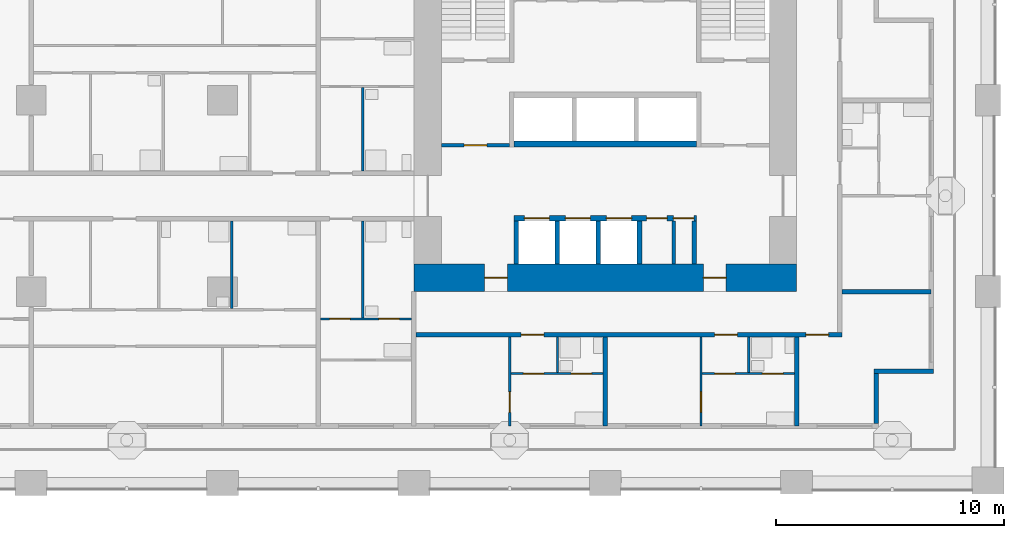
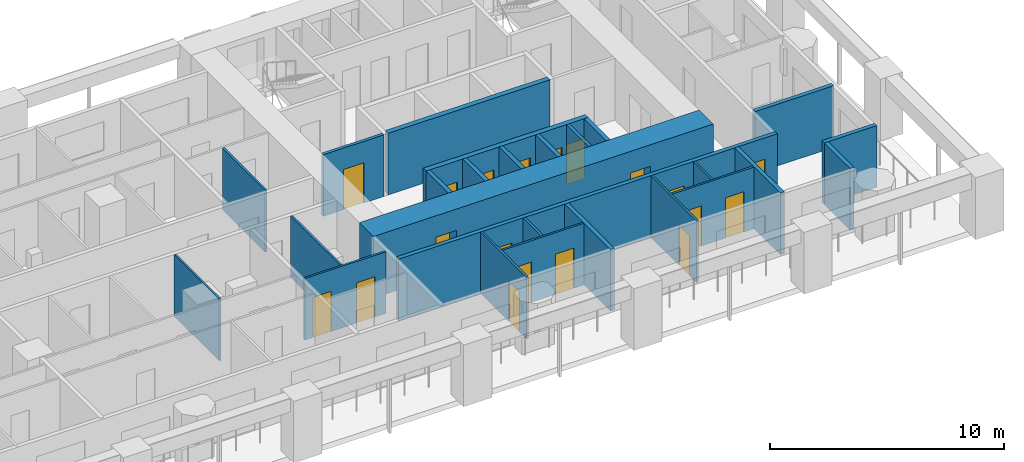
# One storey, part 6 of 22: 26 walls, 19 doors, 19 openings.
"""IFC4 building model written with IfcOpenShell, lengths in metres."""

from ifc_helpers import new_model, si_unit, direction, frame, frame_2d, origin, place, context, subcontext, project, spatial, rectangle, extrude, material, layer, layer_set, type_object, element, fill, save


model = new_model("IFC4")

# Units and contexts
model_context = context("Model", 3, precision=1e-05, world=origin(), true_north=direction((0.0, 1.0)))
body_context = subcontext(model_context, "Body", "Model", "MODEL_VIEW")
ifc_project = project(units=[si_unit("LENGTHUNIT", "METRE"), si_unit("AREAUNIT", "SQUARE_METRE"), si_unit("VOLUMEUNIT", "CUBIC_METRE"), si_unit("PLANEANGLEUNIT", "RADIAN"), si_unit("MASSUNIT", "GRAM", prefix="KILO")], contexts=[model_context])

# Site, building, storey
site_placement = place(None, origin())
site = spatial("IfcSite", under=ifc_project, at=site_placement, CompositionType="ELEMENT")
building_placement = place(site_placement, origin())
building = spatial("IfcBuilding", under=site, at=building_placement, Name="Vermilion Gate Residences", CompositionType="ELEMENT")
storey_placement = place(building_placement, frame((0.0, 0.0, 56.699951171875)))
storey = spatial("IfcBuildingStorey", under=building, at=storey_placement, Name="L13", CompositionType="ELEMENT", Elevation=56.699951171875)

# Wall
ifc_material_1 = material(Name="Masonry blockwork", Category="masonry")
ifc_layer_1 = layer(ifc_material_1, 0.14990234375)
ifc_layer_set_1 = layer_set([ifc_layer_1], Name="BLOCKWORK PARTITION 150 EI 120")
wall_type_1 = type_object("IfcWallType", Name="BLOCKWORK PARTITION 150 EI 120", PredefinedType="PARTITIONING", material=ifc_layer_set_1)
wall_1_placement = place(storey_placement, frame((53.407470703125, 9.60009765625, 0.0), z_axis=(0.0, 0.0, 1.0), x_axis=(0.0, 1.0, 0.0)))
element("IfcWall", 1, at=wall_1_placement, inside=storey, type_object=wall_type_1, Name="Core room partition A13-SR-P0", PredefinedType="PARTITIONING", context=body_context, shape_type="SweptSolid", body=[
    extrude(rectangle(XDim=1.89990234375, YDim=0.14990234375, at=frame_2d((0.949951171875, 0.0))), origin(), (0.0, 0.0, 1.0), 3.219970703125),
])

# Wall, opening, door
wall_2_placement = place(storey_placement, frame((43.199951171875, 14.824951171875, 0.0), z_axis=(0.0, 0.0, 1.0), x_axis=(1.0, 0.0, 0.0)))
wall_2 = element("IfcWall", 2, at=wall_2_placement, inside=storey, type_object=wall_type_1, Name="Core room partition A13-VW-S", PredefinedType="PARTITIONING", context=body_context, shape_type="SweptSolid", body=[
    extrude(rectangle(XDim=3.0, YDim=0.14990234375, at=frame_2d((1.5, 0.0))), origin(), (0.0, 0.0, 1.0), 3.219970703125),
])
opening_1_placement = place(wall_2_placement, frame((1.0, 0.0, 0.0)))
opening_1 = element("IfcOpeningElement", 3, at=opening_1_placement, cuts=wall_2, Name="Opening DK13015", PredefinedType="OPENING", context=body_context, shape_type="SweptSolid", body=[
    extrude(rectangle(XDim=1.0, YDim=2.10009765625, at=frame_2d((0.5, 1.050048828125))), frame((0.0, 0.0849609375, 0.0), z_axis=(0.0, -1.0, 0.0), x_axis=(1.0, 0.0, 0.0)), (0.0, 0.0, 1.0), 0.169921875),
])
ifc_material_2 = material(Name="Steel", Category="steel")
door_type_1 = type_object("IfcDoorType", Name="FIRE DOOR FD60 1000 X 2100", OperationType="SINGLE_SWING_LEFT", PredefinedType="DOOR", material=ifc_material_2)
door_1_placement = place(opening_1_placement, frame((1.0, 0.0, 0.0), z_axis=(0.0, 0.0, 1.0), x_axis=(-1.0, 0.0, 0.0)))
door_1 = element("IfcDoor", 4, at=door_1_placement, inside=storey, type_object=door_type_1, Name="Stair vestibule door A13", OperationType="SINGLE_SWING_RIGHT", OverallHeight=2.10009765625, OverallWidth=1.0, PredefinedType="DOOR", context=body_context, shape_type="SweptSolid", body=[
    extrude(rectangle(XDim=1.0, YDim=2.10009765625, at=frame_2d((0.5, 1.050048828125))), frame((0.0, 0.02490234375, 0.0), z_axis=(0.0, -1.0, 0.0), x_axis=(1.0, 0.0, 0.0)), (0.0, 0.0, 1.0), 0.050048828125),
])
fill(opening_1, door_1)

# Walls
ifc_material_3 = material(Name="Insulated steel stud wall with terracotta rainscreen", Category="masonry")
ifc_layer_2 = layer(ifc_material_3, 0.199951171875)
ifc_layer_set_2 = layer_set([ifc_layer_2], Name="EXTERNAL WALL 200 TERRACOTTA RAINSCREEN")
wall_type_2 = type_object("IfcWallType", Name="EXTERNAL WALL 200 TERRACOTTA RAINSCREEN", PredefinedType="SOLIDWALL", material=ifc_layer_set_2)
wall_3_placement = place(storey_placement, frame((62.300048828125, 2.60009765625, 0.0), z_axis=(0.0, 0.0, 1.0), x_axis=(0.0, 1.0, 0.0)))
element("IfcWall", 5, at=wall_3_placement, inside=storey, type_object=wall_type_2, Name="External wall", PredefinedType="SOLIDWALL", context=body_context, shape_type="SweptSolid", body=[
    extrude(rectangle(XDim=2.199951171875, YDim=0.199951171875, at=frame_2d((1.10009765625, 0.0))), origin(), (0.0, 0.0, 1.0), 3.219970703125),
])
wall_4_placement = place(storey_placement, frame((62.199951171875, 4.89990234375, 0.0), z_axis=(0.0, 0.0, 1.0), x_axis=(1.0, 0.0, 0.0)))
element("IfcWall", 6, at=wall_4_placement, inside=storey, type_object=wall_type_2, Name="External wall", PredefinedType="SOLIDWALL", context=body_context, shape_type="SweptSolid", body=[
    extrude(rectangle(XDim=2.60009765625, YDim=0.199951171875, at=frame_2d((1.300048828125, 0.0))), origin(), (0.0, 0.0, 1.0), 3.219970703125),
])

# Wall, openings, doors
ifc_material_4 = material(Name="Plasterboard on steel studs", Category="steel")
ifc_layer_3 = layer(ifc_material_4, 0.10009765625)
ifc_layer_set_3 = layer_set([ifc_layer_3], Name="PARTITION 100")
wall_type_3 = type_object("IfcWallType", Name="PARTITION 100", PredefinedType="PARTITIONING", material=ifc_layer_set_3)
wall_5_placement = place(storey_placement, frame((46.25, 4.800048828125, 0.0), z_axis=(0.0, 0.0, 1.0), x_axis=(1.0, 0.0, 0.0)))
wall_5 = element("IfcWall", 7, at=wall_5_placement, inside=storey, type_object=wall_type_3, Name="Partition", PredefinedType="PARTITIONING", context=body_context, shape_type="SweptSolid", body=[
    extrude(rectangle(XDim=4.050048828125, YDim=0.10009765625, at=frame_2d((2.02490234375, 0.0))), origin(), (0.0, 0.0, 1.0), 3.219970703125),
])
opening_2_placement = place(wall_5_placement, frame((0.550048828125, 0.0, 0.0)))
opening_2 = element("IfcOpeningElement", 8, at=opening_2_placement, cuts=wall_5, Name="Opening DA13001", PredefinedType="OPENING", context=body_context, shape_type="SweptSolid", body=[
    extrude(rectangle(XDim=0.89990234375, YDim=2.10009765625, at=frame_2d((0.449951171875, 1.050048828125))), frame((0.0, 0.06005859375, 0.0), z_axis=(0.0, -1.0, 0.0), x_axis=(1.0, 0.0, 0.0)), (0.0, 0.0, 1.0), 0.1201171875),
])
opening_3_placement = place(wall_5_placement, frame((2.64990234375, 0.0, 0.0)))
opening_3 = element("IfcOpeningElement", 9, at=opening_3_placement, cuts=wall_5, Name="Opening DA13002", PredefinedType="OPENING", context=body_context, shape_type="SweptSolid", body=[
    extrude(rectangle(XDim=0.89990234375, YDim=2.10009765625, at=frame_2d((0.449951171875, 1.050048828125))), frame((0.0, 0.06005859375, 0.0), z_axis=(0.0, -1.0, 0.0), x_axis=(1.0, 0.0, 0.0)), (0.0, 0.0, 1.0), 0.1201171875),
])
ifc_material_5 = material(Name="Timber", Category="wood")
door_type_2 = type_object("IfcDoorType", Name="INTERIOR DOOR 900 X 2100", OperationType="SINGLE_SWING_LEFT", PredefinedType="DOOR", material=ifc_material_5)
door_2_placement = place(opening_2_placement, frame((0.89990234375, 0.0, 0.0), z_axis=(0.0, 0.0, 1.0), x_axis=(-1.0, 0.0, 0.0)))
door_2 = element("IfcDoor", 10, at=door_2_placement, inside=storey, type_object=door_type_2, Name="Interior door", OperationType="SINGLE_SWING_RIGHT", OverallHeight=2.10009765625, OverallWidth=0.89990234375, PredefinedType="DOOR", context=body_context, shape_type="SweptSolid", body=[
    extrude(rectangle(XDim=0.89990234375, YDim=2.10009765625, at=frame_2d((0.449951171875, 1.050048828125))), frame((0.0, 0.02490234375, 0.0), z_axis=(0.0, -1.0, 0.0), x_axis=(1.0, 0.0, 0.0)), (0.0, 0.0, 1.0), 0.050048828125),
])
fill(opening_2, door_2)
door_3_placement = place(opening_3_placement, origin())
door_3 = element("IfcDoor", 11, at=door_3_placement, inside=storey, type_object=door_type_2, Name="Interior door", OperationType="SINGLE_SWING_RIGHT", OverallHeight=2.10009765625, OverallWidth=0.89990234375, PredefinedType="DOOR", context=body_context, shape_type="SweptSolid", body=[
    extrude(rectangle(XDim=0.89990234375, YDim=2.10009765625, at=frame_2d((0.449951171875, 1.050048828125))), frame((0.0, 0.02490234375, 0.0), z_axis=(0.0, -1.0, 0.0), x_axis=(1.0, 0.0, 0.0)), (0.0, 0.0, 1.0), 0.050048828125),
])
fill(opening_3, door_3)

wall_6_placement = place(storey_placement, frame((54.64990234375, 4.800048828125, 0.0), z_axis=(0.0, 0.0, 1.0), x_axis=(1.0, 0.0, 0.0)))
wall_6 = element("IfcWall", 12, at=wall_6_placement, inside=storey, type_object=wall_type_3, Name="Partition", PredefinedType="PARTITIONING", context=body_context, shape_type="SweptSolid", body=[
    extrude(rectangle(XDim=4.050048828125, YDim=0.10009765625, at=frame_2d((2.02490234375, 0.0))), origin(), (0.0, 0.0, 1.0), 3.219970703125),
])
opening_4_placement = place(wall_6_placement, frame((0.550048828125, 0.0, 0.0)))
opening_4 = element("IfcOpeningElement", 13, at=opening_4_placement, cuts=wall_6, Name="Opening DA13003", PredefinedType="OPENING", context=body_context, shape_type="SweptSolid", body=[
    extrude(rectangle(XDim=0.89990234375, YDim=2.10009765625, at=frame_2d((0.449951171875, 1.050048828125))), frame((0.0, 0.06005859375, 0.0), z_axis=(0.0, -1.0, 0.0), x_axis=(1.0, 0.0, 0.0)), (0.0, 0.0, 1.0), 0.1201171875),
])
opening_5_placement = place(wall_6_placement, frame((2.64990234375, 0.0, 0.0)))
opening_5 = element("IfcOpeningElement", 14, at=opening_5_placement, cuts=wall_6, Name="Opening DA13004", PredefinedType="OPENING", context=body_context, shape_type="SweptSolid", body=[
    extrude(rectangle(XDim=0.89990234375, YDim=2.10009765625, at=frame_2d((0.449951171875, 1.050048828125))), frame((0.0, 0.06005859375, 0.0), z_axis=(0.0, -1.0, 0.0), x_axis=(1.0, 0.0, 0.0)), (0.0, 0.0, 1.0), 0.1201171875),
])
door_4_placement = place(opening_4_placement, frame((0.89990234375, 0.0, 0.0), z_axis=(0.0, 0.0, 1.0), x_axis=(-1.0, 0.0, 0.0)))
door_4 = element("IfcDoor", 15, at=door_4_placement, inside=storey, type_object=door_type_2, Name="Interior door", OperationType="SINGLE_SWING_RIGHT", OverallHeight=2.10009765625, OverallWidth=0.89990234375, PredefinedType="DOOR", context=body_context, shape_type="SweptSolid", body=[
    extrude(rectangle(XDim=0.89990234375, YDim=2.10009765625, at=frame_2d((0.449951171875, 1.050048828125))), frame((0.0, 0.02490234375, 0.0), z_axis=(0.0, -1.0, 0.0), x_axis=(1.0, 0.0, 0.0)), (0.0, 0.0, 1.0), 0.050048828125),
])
fill(opening_4, door_4)
door_5_placement = place(opening_5_placement, origin())
door_5 = element("IfcDoor", 16, at=door_5_placement, inside=storey, type_object=door_type_2, Name="Interior door", OperationType="SINGLE_SWING_RIGHT", OverallHeight=2.10009765625, OverallWidth=0.89990234375, PredefinedType="DOOR", context=body_context, shape_type="SweptSolid", body=[
    extrude(rectangle(XDim=0.89990234375, YDim=2.10009765625, at=frame_2d((0.449951171875, 1.050048828125))), frame((0.0, 0.02490234375, 0.0), z_axis=(0.0, -1.0, 0.0), x_axis=(1.0, 0.0, 0.0)), (0.0, 0.0, 1.0), 0.050048828125),
])
fill(opening_5, door_5)

wall_7_placement = place(storey_placement, frame((37.89990234375, 7.199951171875, 0.0), z_axis=(0.0, 0.0, 1.0), x_axis=(1.0, 0.0, 0.0)))
wall_7 = element("IfcWall", 17, at=wall_7_placement, inside=storey, type_object=wall_type_3, Name="Partition", PredefinedType="PARTITIONING", context=body_context, shape_type="SweptSolid", body=[
    extrude(rectangle(XDim=4.0, YDim=0.10009765625, at=frame_2d((2.0, 0.0))), origin(), (0.0, 0.0, 1.0), 3.219970703125),
])
opening_6_placement = place(wall_7_placement, frame((0.39990234375, 0.0, 0.0)))
opening_6 = element("IfcOpeningElement", 18, at=opening_6_placement, cuts=wall_7, Name="Opening DA13017", PredefinedType="OPENING", context=body_context, shape_type="SweptSolid", body=[
    extrude(rectangle(XDim=0.89990234375, YDim=2.10009765625, at=frame_2d((0.449951171875, 1.050048828125))), frame((0.0, 0.06005859375, 0.0), z_axis=(0.0, -1.0, 0.0), x_axis=(1.0, 0.0, 0.0)), (0.0, 0.0, 1.0), 0.1201171875),
])
opening_7_placement = place(wall_7_placement, frame((2.56005859375, 0.0, 0.0)))
opening_7 = element("IfcOpeningElement", 19, at=opening_7_placement, cuts=wall_7, Name="Opening DA13018", PredefinedType="OPENING", context=body_context, shape_type="SweptSolid", body=[
    extrude(rectangle(XDim=0.89990234375, YDim=2.10009765625, at=frame_2d((0.449951171875, 1.050048828125))), frame((0.0, 0.06005859375, 0.0), z_axis=(0.0, -1.0, 0.0), x_axis=(1.0, 0.0, 0.0)), (0.0, 0.0, 1.0), 0.1201171875),
])
door_6_placement = place(opening_6_placement, frame((0.89990234375, 0.0, 0.0), z_axis=(0.0, 0.0, 1.0), x_axis=(-1.0, 0.0, 0.0)))
door_6 = element("IfcDoor", 20, at=door_6_placement, inside=storey, type_object=door_type_2, Name="Interior door", OperationType="SINGLE_SWING_RIGHT", OverallHeight=2.10009765625, OverallWidth=0.89990234375, PredefinedType="DOOR", context=body_context, shape_type="SweptSolid", body=[
    extrude(rectangle(XDim=0.89990234375, YDim=2.10009765625, at=frame_2d((0.449951171875, 1.050048828125))), frame((0.0, 0.02490234375, 0.0), z_axis=(0.0, -1.0, 0.0), x_axis=(1.0, 0.0, 0.0)), (0.0, 0.0, 1.0), 0.050048828125),
])
fill(opening_6, door_6)
door_7_placement = place(opening_7_placement, frame((0.89990234375, 0.0, 0.0), z_axis=(0.0, 0.0, 1.0), x_axis=(-1.0, 0.0, 0.0)))
door_7 = element("IfcDoor", 21, at=door_7_placement, inside=storey, type_object=door_type_2, Name="Interior door", OperationType="SINGLE_SWING_LEFT", OverallHeight=2.10009765625, OverallWidth=0.89990234375, PredefinedType="DOOR", context=body_context, shape_type="SweptSolid", body=[
    extrude(rectangle(XDim=0.89990234375, YDim=2.10009765625, at=frame_2d((0.449951171875, 1.050048828125))), frame((0.0, 0.02490234375, 0.0), z_axis=(0.0, -1.0, 0.0), x_axis=(1.0, 0.0, 0.0)), (0.0, 0.0, 1.0), 0.050048828125),
])
fill(opening_7, door_7)

# Walls
wall_8_placement = place(storey_placement, frame((34.0, 7.64990234375, 0.0), z_axis=(0.0, 0.0, 1.0), x_axis=(0.0, 1.0, 0.0)))
element("IfcWall", 22, at=wall_8_placement, inside=storey, type_object=wall_type_3, Name="Partition", PredefinedType="PARTITIONING", context=body_context, shape_type="SweptSolid", body=[
    extrude(rectangle(XDim=3.85009765625, YDim=0.10009765625, at=frame_2d((1.925048828125, 0.0))), origin(), (0.0, 0.0, 1.0), 3.219970703125),
])
wall_9_placement = place(storey_placement, frame((39.760009765625, 7.25, 0.0), z_axis=(0.0, 0.0, 1.0), x_axis=(0.0, 1.0, 0.0)))
element("IfcWall", 23, at=wall_9_placement, inside=storey, type_object=wall_type_3, Name="Partition", PredefinedType="PARTITIONING", context=body_context, shape_type="SweptSolid", body=[
    extrude(rectangle(XDim=4.25, YDim=0.10009765625, at=frame_2d((2.125, 0.0))), origin(), (0.0, 0.0, 1.0), 3.219970703125),
])
wall_10_placement = place(storey_placement, frame((39.760009765625, 13.699951171875, 0.0), z_axis=(0.0, 0.0, 1.0), x_axis=(0.0, 1.0, 0.0)))
element("IfcWall", 24, at=wall_10_placement, inside=storey, type_object=wall_type_3, Name="Partition", PredefinedType="PARTITIONING", context=body_context, shape_type="SweptSolid", body=[
    extrude(rectangle(XDim=3.650146484375, YDim=0.10009765625, at=frame_2d((1.8251953125, 0.0))), origin(), (0.0, 0.0, 1.0), 3.219970703125),
])

# Wall, opening, door
wall_11_placement = place(storey_placement, frame((46.199951171875, 2.5, 0.0), z_axis=(0.0, 0.0, 1.0), x_axis=(0.0, 1.0, 0.0)))
wall_11 = element("IfcWall", 25, at=wall_11_placement, inside=storey, type_object=wall_type_3, Name="Partition", PredefinedType="PARTITIONING", context=body_context, shape_type="SweptSolid", body=[
    extrude(rectangle(XDim=3.89990234375, YDim=0.10009765625, at=frame_2d((1.949951171875, 0.0))), origin(), (0.0, 0.0, 1.0), 3.219970703125),
])
opening_8_placement = place(wall_11_placement, frame((0.60009765625, 0.0, 0.0)))
opening_8 = element("IfcOpeningElement", 26, at=opening_8_placement, cuts=wall_11, Name="Opening DA13081", PredefinedType="OPENING", context=body_context, shape_type="SweptSolid", body=[
    extrude(rectangle(XDim=0.89990234375, YDim=2.10009765625, at=frame_2d((0.449951171875, 1.050048828125))), frame((0.0, 0.06005859375, 0.0), z_axis=(0.0, -1.0, 0.0), x_axis=(1.0, 0.0, 0.0)), (0.0, 0.0, 1.0), 0.1201171875),
])
door_8_placement = place(opening_8_placement, frame((0.89990234375, 0.0, 0.0), z_axis=(0.0, 0.0, 1.0), x_axis=(-1.0, 0.0, 0.0)))
door_8 = element("IfcDoor", 27, at=door_8_placement, inside=storey, type_object=door_type_2, Name="Interior door", OperationType="SINGLE_SWING_RIGHT", OverallHeight=2.10009765625, OverallWidth=0.89990234375, PredefinedType="DOOR", context=body_context, shape_type="SweptSolid", body=[
    extrude(rectangle(XDim=0.89990234375, YDim=2.10009765625, at=frame_2d((0.449951171875, 1.050048828125))), frame((0.0, 0.02490234375, 0.0), z_axis=(0.0, -1.0, 0.0), x_axis=(1.0, 0.0, 0.0)), (0.0, 0.0, 1.0), 0.050048828125),
])
fill(opening_8, door_8)

# Wall
wall_12_placement = place(storey_placement, frame((48.300048828125, 4.85009765625, 0.0), z_axis=(0.0, 0.0, 1.0), x_axis=(0.0, 1.0, 0.0)))
element("IfcWall", 28, at=wall_12_placement, inside=storey, type_object=wall_type_3, Name="Partition", PredefinedType="PARTITIONING", context=body_context, shape_type="SweptSolid", body=[
    extrude(rectangle(XDim=1.5498046875, YDim=0.10009765625, at=frame_2d((0.77490234375, 0.0))), origin(), (0.0, 0.0, 1.0), 3.219970703125),
])

# Wall, opening, door
wall_13_placement = place(storey_placement, frame((54.60009765625, 2.5, 0.0), z_axis=(0.0, 0.0, 1.0), x_axis=(0.0, 1.0, 0.0)))
wall_13 = element("IfcWall", 29, at=wall_13_placement, inside=storey, type_object=wall_type_3, Name="Partition", PredefinedType="PARTITIONING", context=body_context, shape_type="SweptSolid", body=[
    extrude(rectangle(XDim=3.89990234375, YDim=0.10009765625, at=frame_2d((1.949951171875, 0.0))), origin(), (0.0, 0.0, 1.0), 3.219970703125),
])
opening_9_placement = place(wall_13_placement, frame((0.60009765625, 0.0, 0.0)))
opening_9 = element("IfcOpeningElement", 30, at=opening_9_placement, cuts=wall_13, Name="Opening DA13082", PredefinedType="OPENING", context=body_context, shape_type="SweptSolid", body=[
    extrude(rectangle(XDim=0.89990234375, YDim=2.10009765625, at=frame_2d((0.449951171875, 1.050048828125))), frame((0.0, 0.06005859375, 0.0), z_axis=(0.0, -1.0, 0.0), x_axis=(1.0, 0.0, 0.0)), (0.0, 0.0, 1.0), 0.1201171875),
])
door_9_placement = place(opening_9_placement, frame((0.89990234375, 0.0, 0.0), z_axis=(0.0, 0.0, 1.0), x_axis=(-1.0, 0.0, 0.0)))
door_9 = element("IfcDoor", 31, at=door_9_placement, inside=storey, type_object=door_type_2, Name="Interior door", OperationType="SINGLE_SWING_RIGHT", OverallHeight=2.10009765625, OverallWidth=0.89990234375, PredefinedType="DOOR", context=body_context, shape_type="SweptSolid", body=[
    extrude(rectangle(XDim=0.89990234375, YDim=2.10009765625, at=frame_2d((0.449951171875, 1.050048828125))), frame((0.0, 0.02490234375, 0.0), z_axis=(0.0, -1.0, 0.0), x_axis=(1.0, 0.0, 0.0)), (0.0, 0.0, 1.0), 0.050048828125),
])
fill(opening_9, door_9)

# Wall
wall_14_placement = place(storey_placement, frame((56.699951171875, 4.85009765625, 0.0), z_axis=(0.0, 0.0, 1.0), x_axis=(0.0, 1.0, 0.0)))
element("IfcWall", 32, at=wall_14_placement, inside=storey, type_object=wall_type_3, Name="Partition", PredefinedType="PARTITIONING", context=body_context, shape_type="SweptSolid", body=[
    extrude(rectangle(XDim=1.5498046875, YDim=0.10009765625, at=frame_2d((0.77490234375, 0.0))), origin(), (0.0, 0.0, 1.0), 3.219970703125),
])

# Wall, openings, doors
ifc_material_6 = material(Name="Fire-rated plasterboard on steel studs", Category="steel")
ifc_layer_4 = layer(ifc_material_6, 0.199951171875)
ifc_layer_set_4 = layer_set([ifc_layer_4], Name="PARTY WALL 200 EI 120")
wall_type_4 = type_object("IfcWallType", Name="PARTY WALL 200 EI 120", PredefinedType="PARTITIONING", material=ifc_layer_set_4)
wall_15_placement = place(storey_placement, frame((42.10009765625, 6.5, 0.0), z_axis=(0.0, 0.0, 1.0), x_axis=(1.0, 0.0, 0.0)))
wall_15 = element("IfcWall", 33, at=wall_15_placement, inside=storey, type_object=wall_type_4, Name="Party and corridor wall", PredefinedType="PARTITIONING", context=body_context, shape_type="SweptSolid", body=[
    extrude(rectangle(XDim=18.699951171875, YDim=0.199951171875, at=frame_2d((9.35009765625, 0.0))), origin(), (0.0, 0.0, 1.0), 3.219970703125),
])
opening_10_placement = place(wall_15_placement, frame((4.60009765625, 0.0, 0.0)))
opening_10 = element("IfcOpeningElement", 34, at=opening_10_placement, cuts=wall_15, Name="Opening DA13011", PredefinedType="OPENING", context=body_context, shape_type="SweptSolid", body=[
    extrude(rectangle(XDim=1.0, YDim=2.10009765625, at=frame_2d((0.5, 1.050048828125))), frame((0.0, 0.10986328125, 0.0), z_axis=(0.0, -1.0, 0.0), x_axis=(1.0, 0.0, 0.0)), (0.0, 0.0, 1.0), 0.219970703125),
])
opening_11_placement = place(wall_15_placement, frame((13.10009765625, 0.0, 0.0)))
opening_11 = element("IfcOpeningElement", 35, at=opening_11_placement, cuts=wall_15, Name="Opening DA13012", PredefinedType="OPENING", context=body_context, shape_type="SweptSolid", body=[
    extrude(rectangle(XDim=1.0, YDim=2.10009765625, at=frame_2d((0.5, 1.050048828125))), frame((0.0, 0.10986328125, 0.0), z_axis=(0.0, -1.0, 0.0), x_axis=(1.0, 0.0, 0.0)), (0.0, 0.0, 1.0), 0.219970703125),
])
opening_12_placement = place(wall_15_placement, frame((17.10009765625, 0.0, 0.0)))
opening_12 = element("IfcOpeningElement", 36, at=opening_12_placement, cuts=wall_15, Name="Opening DA13013", PredefinedType="OPENING", context=body_context, shape_type="SweptSolid", body=[
    extrude(rectangle(XDim=1.0, YDim=2.10009765625, at=frame_2d((0.5, 1.050048828125))), frame((0.0, 0.10986328125, 0.0), z_axis=(0.0, -1.0, 0.0), x_axis=(1.0, 0.0, 0.0)), (0.0, 0.0, 1.0), 0.219970703125),
])
ifc_material_7 = material(Name="Steel", Category="steel")
door_type_3 = type_object("IfcDoorType", Name="ENTRANCE DOOR 1000 X 2100 FD30", OperationType="SINGLE_SWING_LEFT", PredefinedType="DOOR", material=ifc_material_7)
door_10_placement = place(opening_10_placement, frame((1.0, 0.0, 0.0), z_axis=(0.0, 0.0, 1.0), x_axis=(-1.0, 0.0, 0.0)))
door_10 = element("IfcDoor", 37, at=door_10_placement, inside=storey, type_object=door_type_3, Name="Entrance door", OperationType="SINGLE_SWING_RIGHT", OverallHeight=2.10009765625, OverallWidth=1.0, PredefinedType="DOOR", context=body_context, shape_type="SweptSolid", body=[
    extrude(rectangle(XDim=1.0, YDim=2.10009765625, at=frame_2d((0.5, 1.050048828125))), frame((0.0, 0.02490234375, 0.0), z_axis=(0.0, -1.0, 0.0), x_axis=(1.0, 0.0, 0.0)), (0.0, 0.0, 1.0), 0.050048828125),
])
fill(opening_10, door_10)
door_11_placement = place(opening_11_placement, frame((1.0, 0.0, 0.0), z_axis=(0.0, 0.0, 1.0), x_axis=(-1.0, 0.0, 0.0)))
door_11 = element("IfcDoor", 38, at=door_11_placement, inside=storey, type_object=door_type_3, Name="Entrance door", OperationType="SINGLE_SWING_LEFT", OverallHeight=2.10009765625, OverallWidth=1.0, PredefinedType="DOOR", context=body_context, shape_type="SweptSolid", body=[
    extrude(rectangle(XDim=1.0, YDim=2.10009765625, at=frame_2d((0.5, 1.050048828125))), frame((0.0, 0.02490234375, 0.0), z_axis=(0.0, -1.0, 0.0), x_axis=(1.0, 0.0, 0.0)), (0.0, 0.0, 1.0), 0.050048828125),
])
fill(opening_11, door_11)
door_12_placement = place(opening_12_placement, frame((1.0, 0.0, 0.0), z_axis=(0.0, 0.0, 1.0), x_axis=(-1.0, 0.0, 0.0)))
door_12 = element("IfcDoor", 39, at=door_12_placement, inside=storey, type_object=door_type_3, Name="Entrance door", OperationType="SINGLE_SWING_RIGHT", OverallHeight=2.10009765625, OverallWidth=1.0, PredefinedType="DOOR", context=body_context, shape_type="SweptSolid", body=[
    extrude(rectangle(XDim=1.0, YDim=2.10009765625, at=frame_2d((0.5, 1.050048828125))), frame((0.0, 0.02490234375, 0.0), z_axis=(0.0, -1.0, 0.0), x_axis=(1.0, 0.0, 0.0)), (0.0, 0.0, 1.0), 0.050048828125),
])
fill(opening_12, door_12)

# Walls
for number, where, z_axis, x_axis, name in (
    (40, (60.800048828125, 8.39990234375, 0.0), (0.0, 0.0, 1.0), (1.0, 0.0, 0.0), "Party and corridor wall"),
    (41, (50.39990234375, 2.5, 0.0), (0.0, 0.0, 1.0), (0.0, 1.0, 0.0), "Party and corridor wall"),
    (42, (58.800048828125, 2.5, 0.0), (0.0, 0.0, 1.0), (0.0, 1.0, 0.0), "Party and corridor wall"),
):
    element("IfcWall", number, at=place(storey_placement, frame(where, z_axis=z_axis, x_axis=x_axis)), inside=storey, type_object=wall_type_4, Name=name, PredefinedType="PARTITIONING", context=body_context, shape_type="SweptSolid", body=[
        extrude(rectangle(XDim=3.89990234375, YDim=0.199951171875, at=frame_2d((1.949951171875, 0.0))), origin(), (0.0, 0.0, 1.0), 3.219970703125),
    ])
ifc_material_8 = material(Name="Concrete C60", Category="concrete")
ifc_layer_5 = layer(ifc_material_8, 0.199951171875)
ifc_layer_set_5 = layer_set([ifc_layer_5], Name="RC CORE INTERNAL WALL 200 C60")
wall_type_5 = type_object("IfcWallType", Name="RC CORE INTERNAL WALL 200 C60", PredefinedType="SHEAR", material=ifc_layer_set_5)
for number, where, z_axis, x_axis, name in (
    (43, (46.5, 9.60009765625, 0.0), (0.0, 0.0, 1.0), (0.0, 1.0, 0.0), "Core internal wall A13-LR-D0"),
    (44, (48.300048828125, 9.60009765625, 0.0), (0.0, 0.0, 1.0), (0.0, 1.0, 0.0), "Core internal wall A13-LR-D1"),
    (45, (50.10009765625, 9.60009765625, 0.0), (0.0, 0.0, 1.0), (0.0, 1.0, 0.0), "Core internal wall A13-LR-D2"),
    (46, (51.89990234375, 9.60009765625, 0.0), (0.0, 0.0, 1.0), (0.0, 1.0, 0.0), "Core internal wall A13-LR-D3"),
    (47, (54.300048828125, 9.60009765625, 0.0), (0.0, 0.0, 1.0), (0.0, 1.0, 0.0), "Core internal wall A13-LR-DE"),
):
    element("IfcWall", number, at=place(storey_placement, frame(where, z_axis=z_axis, x_axis=x_axis)), inside=storey, type_object=wall_type_5, Name=name, PredefinedType="SHEAR", context=body_context, shape_type="SweptSolid", body=[
        extrude(rectangle(XDim=1.89990234375, YDim=0.199951171875, at=frame_2d((0.949951171875, 0.0))), origin(), (0.0, 0.0, 1.0), 3.219970703125),
    ])

# Wall, openings, doors
ifc_material_9 = material(Name="Concrete C80", Category="concrete")
ifc_layer_6 = layer(ifc_material_9, 1.199951171875)
ifc_layer_set_6 = layer_set([ifc_layer_6], Name="RC CORE WALL 1200 C80")
wall_type_6 = type_object("IfcWallType", Name="RC CORE WALL 1200 C80", PredefinedType="SHEAR", material=ifc_layer_set_6)
wall_16_placement = place(storey_placement, frame((42.0, 9.0, 0.0), z_axis=(0.0, 0.0, 1.0), x_axis=(1.0, 0.0, 0.0)))
wall_16 = element("IfcWall", 48, at=wall_16_placement, inside=storey, type_object=wall_type_6, Name="Core wall A13-OUT-B0", PredefinedType="SHEAR", context=body_context, shape_type="SweptSolid", body=[
    extrude(rectangle(XDim=16.800048828125, YDim=1.199951171875, at=frame_2d((8.39990234375, 0.0))), origin(), (0.0, 0.0, 1.0), 3.219970703125),
])
opening_13_placement = place(wall_16_placement, frame((3.10009765625, 0.0, 0.0)))
opening_13 = element("IfcOpeningElement", 49, at=opening_13_placement, cuts=wall_16, Name="Opening DK13001", PredefinedType="OPENING", context=body_context, shape_type="SweptSolid", body=[
    extrude(rectangle(XDim=1.0, YDim=2.10009765625, at=frame_2d((0.5, 1.050048828125))), frame((0.0, 0.60986328125, 0.0), z_axis=(0.0, -1.0, 0.0), x_axis=(1.0, 0.0, 0.0)), (0.0, 0.0, 1.0), 1.219970703125),
])
opening_14_placement = place(wall_16_placement, frame((12.699951171875, 0.0, 0.0)))
opening_14 = element("IfcOpeningElement", 50, at=opening_14_placement, cuts=wall_16, Name="Opening DK13002", PredefinedType="OPENING", context=body_context, shape_type="SweptSolid", body=[
    extrude(rectangle(XDim=1.0, YDim=2.10009765625, at=frame_2d((0.5, 1.050048828125))), frame((0.0, 0.60986328125, 0.0), z_axis=(0.0, -1.0, 0.0), x_axis=(1.0, 0.0, 0.0)), (0.0, 0.0, 1.0), 1.219970703125),
])
door_13_placement = place(opening_13_placement, origin())
door_13 = element("IfcDoor", 51, at=door_13_placement, inside=storey, type_object=door_type_1, Name="Core lobby side door A13", OperationType="SINGLE_SWING_RIGHT", OverallHeight=2.10009765625, OverallWidth=1.0, PredefinedType="DOOR", context=body_context, shape_type="SweptSolid", body=[
    extrude(rectangle(XDim=1.0, YDim=2.10009765625, at=frame_2d((0.5, 1.050048828125))), frame((0.0, 0.02490234375, 0.0), z_axis=(0.0, -1.0, 0.0), x_axis=(1.0, 0.0, 0.0)), (0.0, 0.0, 1.0), 0.050048828125),
])
fill(opening_13, door_13)
door_14_placement = place(opening_14_placement, origin())
door_14 = element("IfcDoor", 52, at=door_14_placement, inside=storey, type_object=door_type_1, Name="Core lobby side door A13", OperationType="SINGLE_SWING_LEFT", OverallHeight=2.10009765625, OverallWidth=1.0, PredefinedType="DOOR", context=body_context, shape_type="SweptSolid", body=[
    extrude(rectangle(XDim=1.0, YDim=2.10009765625, at=frame_2d((0.5, 1.050048828125))), frame((0.0, 0.02490234375, 0.0), z_axis=(0.0, -1.0, 0.0), x_axis=(1.0, 0.0, 0.0)), (0.0, 0.0, 1.0), 0.050048828125),
])
fill(opening_14, door_14)

ifc_material_10 = material(Name="Concrete C60", Category="concrete")
ifc_layer_7 = layer(ifc_material_10, 0.25)
ifc_layer_set_7 = layer_set([ifc_layer_7], Name="RC LIFT SHAFT WALL 250 C60")
wall_type_7 = type_object("IfcWallType", Name="RC LIFT SHAFT WALL 250 C60", PredefinedType="SHEAR", material=ifc_layer_set_7)
wall_17_placement = place(storey_placement, frame((46.39990234375, 11.625, 0.0), z_axis=(0.0, 0.0, 1.0), x_axis=(1.0, 0.0, 0.0)))
wall_17 = element("IfcWall", 53, at=wall_17_placement, inside=storey, type_object=wall_type_7, Name="Lift shaft wall A13-LR-F", PredefinedType="SHEAR", context=body_context, shape_type="SweptSolid", body=[
    extrude(rectangle(XDim=8.0, YDim=0.25, at=frame_2d((4.0, 0.0))), origin(), (0.0, 0.0, 1.0), 3.219970703125),
])
opening_15_placement = place(wall_17_placement, frame((0.449951171875, 0.0, 0.0)))
opening_15 = element("IfcOpeningElement", 54, at=opening_15_placement, cuts=wall_17, Name="Opening LD", PredefinedType="OPENING", context=body_context, shape_type="SweptSolid", body=[
    extrude(rectangle(XDim=1.10009765625, YDim=2.10009765625, at=frame_2d((0.550048828125, 1.050048828125))), frame((0.0, 0.135009765625, 0.0), z_axis=(0.0, -1.0, 0.0), x_axis=(1.0, 0.0, 0.0)), (0.0, 0.0, 1.0), 0.27001953125),
])
opening_16_placement = place(wall_17_placement, frame((2.25, 0.0, 0.0)))
opening_16 = element("IfcOpeningElement", 55, at=opening_16_placement, cuts=wall_17, Name="Opening LD", PredefinedType="OPENING", context=body_context, shape_type="SweptSolid", body=[
    extrude(rectangle(XDim=1.10009765625, YDim=2.10009765625, at=frame_2d((0.550048828125, 1.050048828125))), frame((0.0, 0.135009765625, 0.0), z_axis=(0.0, -1.0, 0.0), x_axis=(1.0, 0.0, 0.0)), (0.0, 0.0, 1.0), 0.27001953125),
])
opening_17_placement = place(wall_17_placement, frame((4.050048828125, 0.0, 0.0)))
opening_17 = element("IfcOpeningElement", 56, at=opening_17_placement, cuts=wall_17, Name="Opening LD", PredefinedType="OPENING", context=body_context, shape_type="SweptSolid", body=[
    extrude(rectangle(XDim=1.10009765625, YDim=2.10009765625, at=frame_2d((0.550048828125, 1.050048828125))), frame((0.0, 0.135009765625, 0.0), z_axis=(0.0, -1.0, 0.0), x_axis=(1.0, 0.0, 0.0)), (0.0, 0.0, 1.0), 0.27001953125),
])
opening_18_placement = place(wall_17_placement, frame((5.816162109375, 0.0, 0.0)))
opening_18 = element("IfcOpeningElement", 57, at=opening_18_placement, cuts=wall_17, Name="Opening DK13008", PredefinedType="OPENING", context=body_context, shape_type="SweptSolid", body=[
    extrude(rectangle(XDim=0.89990234375, YDim=2.10009765625, at=frame_2d((0.449951171875, 1.050048828125))), frame((0.0, 0.135009765625, 0.0), z_axis=(0.0, -1.0, 0.0), x_axis=(1.0, 0.0, 0.0)), (0.0, 0.0, 1.0), 0.27001953125),
])
opening_19_placement = place(wall_17_placement, frame((6.9912109375, 0.0, 0.0)))
opening_19 = element("IfcOpeningElement", 58, at=opening_19_placement, cuts=wall_17, Name="Opening DK13009", PredefinedType="OPENING", context=body_context, shape_type="SweptSolid", body=[
    extrude(rectangle(XDim=0.89990234375, YDim=2.10009765625, at=frame_2d((0.449951171875, 1.050048828125))), frame((0.0, 0.135009765625, 0.0), z_axis=(0.0, -1.0, 0.0), x_axis=(1.0, 0.0, 0.0)), (0.0, 0.0, 1.0), 0.27001953125),
])
ifc_material_11 = material(Name="Stainless steel", Category="steel")
door_type_4 = type_object("IfcDoorType", Name="LIFT LANDING DOOR E60 1100 X 2100", OperationType="DOUBLE_DOOR_SLIDING", PredefinedType="DOOR", material=ifc_material_11)
door_15_placement = place(opening_15_placement, origin())
door_15 = element("IfcDoor", 59, at=door_15_placement, inside=storey, type_object=door_type_4, Name="Lift landing door LRA1", OperationType="DOUBLE_DOOR_SLIDING", OverallHeight=2.10009765625, OverallWidth=1.10009765625, PredefinedType="DOOR", context=body_context, shape_type="SweptSolid", body=[
    extrude(rectangle(XDim=1.10009765625, YDim=2.10009765625, at=frame_2d((0.550048828125, 1.050048828125))), frame((0.0, 0.02490234375, 0.0), z_axis=(0.0, -1.0, 0.0), x_axis=(1.0, 0.0, 0.0)), (0.0, 0.0, 1.0), 0.050048828125),
])
fill(opening_15, door_15)
door_16_placement = place(opening_16_placement, origin())
door_16 = element("IfcDoor", 60, at=door_16_placement, inside=storey, type_object=door_type_4, Name="Lift landing door LRA2", OperationType="DOUBLE_DOOR_SLIDING", OverallHeight=2.10009765625, OverallWidth=1.10009765625, PredefinedType="DOOR", context=body_context, shape_type="SweptSolid", body=[
    extrude(rectangle(XDim=1.10009765625, YDim=2.10009765625, at=frame_2d((0.550048828125, 1.050048828125))), frame((0.0, 0.02490234375, 0.0), z_axis=(0.0, -1.0, 0.0), x_axis=(1.0, 0.0, 0.0)), (0.0, 0.0, 1.0), 0.050048828125),
])
fill(opening_16, door_16)
door_17_placement = place(opening_17_placement, origin())
door_17 = element("IfcDoor", 61, at=door_17_placement, inside=storey, type_object=door_type_4, Name="Lift landing door LRA3", OperationType="DOUBLE_DOOR_SLIDING", OverallHeight=2.10009765625, OverallWidth=1.10009765625, PredefinedType="DOOR", context=body_context, shape_type="SweptSolid", body=[
    extrude(rectangle(XDim=1.10009765625, YDim=2.10009765625, at=frame_2d((0.550048828125, 1.050048828125))), frame((0.0, 0.02490234375, 0.0), z_axis=(0.0, -1.0, 0.0), x_axis=(1.0, 0.0, 0.0)), (0.0, 0.0, 1.0), 0.050048828125),
])
fill(opening_17, door_17)
ifc_material_12 = material(Name="Steel", Category="steel")
door_type_5 = type_object("IfcDoorType", Name="SERVICE ROOM DOOR FD60 900 X 2100", OperationType="SINGLE_SWING_LEFT", PredefinedType="DOOR", material=ifc_material_12)
door_18_placement = place(opening_18_placement, origin())
door_18 = element("IfcDoor", 62, at=door_18_placement, inside=storey, type_object=door_type_5, Name="Electrical room A13", OperationType="SINGLE_SWING_LEFT", OverallHeight=2.10009765625, OverallWidth=0.89990234375, PredefinedType="DOOR", context=body_context, shape_type="SweptSolid", body=[
    extrude(rectangle(XDim=0.89990234375, YDim=2.10009765625, at=frame_2d((0.449951171875, 1.050048828125))), frame((0.0, 0.02490234375, 0.0), z_axis=(0.0, -1.0, 0.0), x_axis=(1.0, 0.0, 0.0)), (0.0, 0.0, 1.0), 0.050048828125),
])
fill(opening_18, door_18)
door_19_placement = place(opening_19_placement, origin())
door_19 = element("IfcDoor", 63, at=door_19_placement, inside=storey, type_object=door_type_5, Name="Communications room A13", OperationType="SINGLE_SWING_LEFT", OverallHeight=2.10009765625, OverallWidth=0.89990234375, PredefinedType="DOOR", context=body_context, shape_type="SweptSolid", body=[
    extrude(rectangle(XDim=0.89990234375, YDim=2.10009765625, at=frame_2d((0.449951171875, 1.050048828125))), frame((0.0, 0.02490234375, 0.0), z_axis=(0.0, -1.0, 0.0), x_axis=(1.0, 0.0, 0.0)), (0.0, 0.0, 1.0), 0.050048828125),
])
fill(opening_19, door_19)

# Wall
wall_18_placement = place(storey_placement, frame((46.39990234375, 14.875, 0.0), z_axis=(0.0, 0.0, 1.0), x_axis=(1.0, 0.0, 0.0)))
element("IfcWall", 64, at=wall_18_placement, inside=storey, type_object=wall_type_7, Name="Lift shaft wall A13-HR-F", PredefinedType="SHEAR", context=body_context, shape_type="SweptSolid", body=[
    extrude(rectangle(XDim=8.0, YDim=0.25, at=frame_2d((4.0, 0.0))), origin(), (0.0, 0.0, 1.0), 3.219970703125),
])

save(model, "model.ifc")
